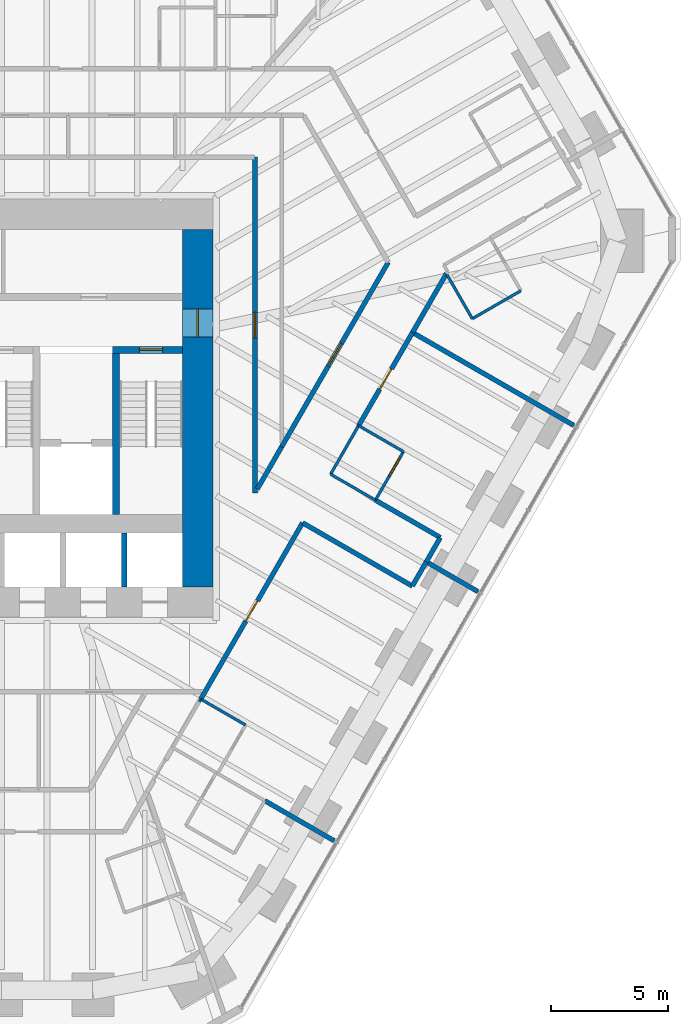
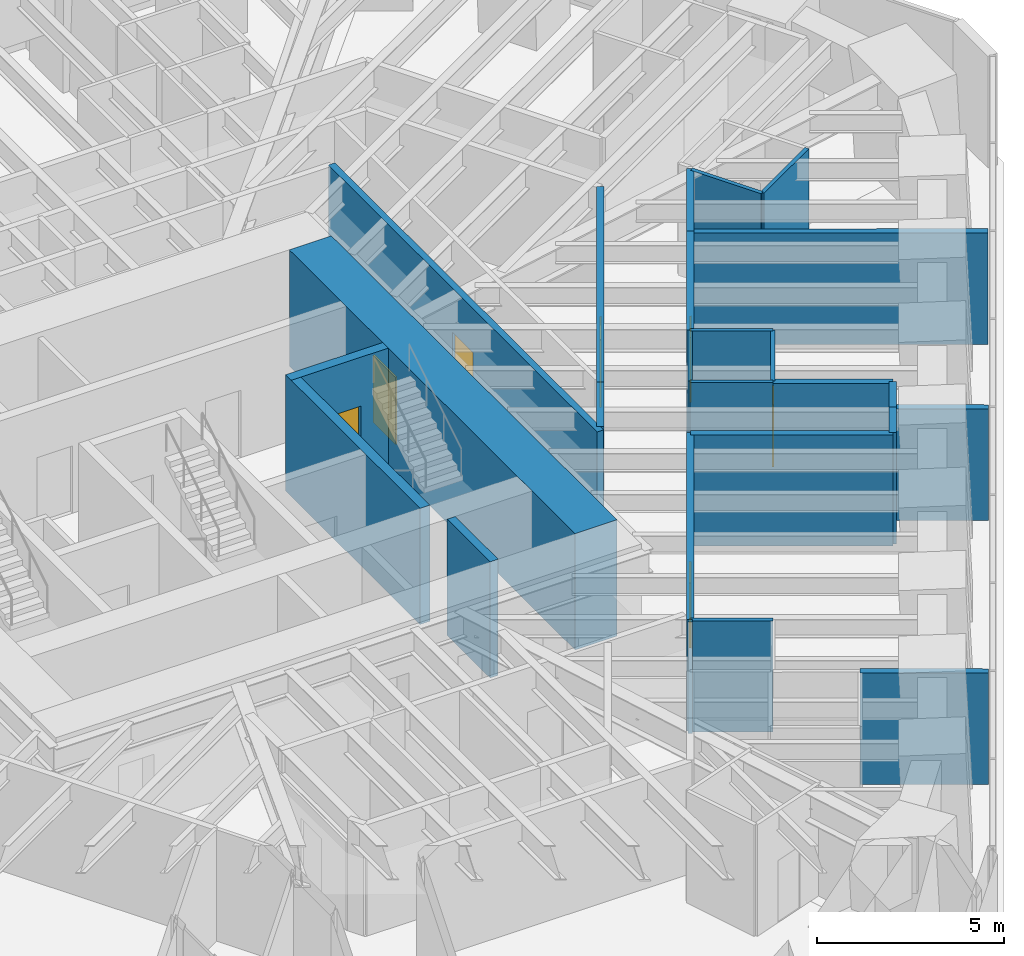
# One storey, part 13 of 18: 25 walls, 7 doors, 7 openings.
"""IFC4 building model written with IfcOpenShell, lengths in metres."""

import ifcopenshell
import ifcopenshell.guid

model = None  # the IFC model being written
_history = None  # IfcOwnerHistory: only IFC2X3 demands one
_inside = {}  # id of a spatial element -> (the spatial element, [elements in it])
_under = {}  # id of a project, library or spatial element -> (it, [spatial elements below it])
_declared = {}  # id of a project -> (the project, [libraries it declares])
_typed = {}  # id of a type object -> (the type object, [elements of that type])
_made_of = {}  # id of a material, layer set ... -> (it, [elements and type objects made of it])


def new_model(schema):
    """Start an empty IFC model of exactly this schema.

    Asked for "IFC4X3", IfcOpenShell would pick the latest addendum, in which some entities
    have other attributes; the version numbers below select the first issue.
    IFC2X3 requires an IfcOwnerHistory on every rooted entity: one is made here for all.
    """
    global model, _history
    if schema == "IFC4X3":
        model = ifcopenshell.file(schema_version=(4, 3, 0, 0))
    else:
        model = ifcopenshell.file(schema=schema)
    _inside.clear()
    _under.clear()
    _declared.clear()
    _typed.clear()
    _made_of.clear()
    _history = None
    if model.schema == "IFC2X3":
        org = make("IfcOrganization", Name="unknown")
        user = make(
            "IfcPersonAndOrganization",
            ThePerson=make("IfcPerson", FamilyName="unknown"),
            TheOrganization=org,
        )
        app = make(
            "IfcApplication",
            ApplicationDeveloper=org,
            Version="unknown",
            ApplicationFullName="unknown",
            ApplicationIdentifier="unknown",
        )
        _history = make(
            "IfcOwnerHistory",
            OwningUser=user,
            OwningApplication=app,
            ChangeAction="ADDED",
            CreationDate=0,
        )
    return model


def make(cls, **values):
    """One entity of the class cls with the attributes given. An attribute that is None is left unset."""
    return model.create_entity(
        cls, **{name: value for name, value in values.items() if value is not None}
    )


def rooted(cls, **values):
    """An entity with a GlobalId (a new one), such as an element, a storey or a relation."""
    return make(cls, GlobalId=ifcopenshell.guid.new(), OwnerHistory=_history, **values)


def si_unit(unit_type, name, prefix=None):
    """IfcSIUnit, for example si_unit("LENGTHUNIT", "METRE", prefix="MILLI")."""
    return make("IfcSIUnit", UnitType=unit_type, Prefix=prefix, Name=name)


def assignment(units):
    """IfcUnitAssignment: the units of a project."""
    return None if units is None else make("IfcUnitAssignment", Units=units)


def point(xyz):
    """IfcCartesianPoint."""
    return None if xyz is None else make("IfcCartesianPoint", Coordinates=xyz)


def direction(xyz):
    """IfcDirection."""
    return None if xyz is None else make("IfcDirection", DirectionRatios=xyz)


def frame(location, z_axis=None, x_axis=None):
    """IfcAxis2Placement3D, a coordinate frame: its origin and axes. An axis left out is left unset."""
    return make(
        "IfcAxis2Placement3D",
        Location=point(location),
        Axis=direction(z_axis),
        RefDirection=direction(x_axis),
    )


def frame_2d(location, x_axis=None):
    """IfcAxis2Placement2D, a coordinate frame in the plane: its origin and x axis."""
    return make(
        "IfcAxis2Placement2D", Location=point(location), RefDirection=direction(x_axis)
    )


def origin():
    """The frame at (0, 0, 0) with its axes left unset."""
    return frame((0.0, 0.0, 0.0))


def place(relative_to, where):
    """IfcLocalPlacement: puts the frame where relative to a parent placement (None: the world)."""
    return make(
        "IfcLocalPlacement", PlacementRelTo=relative_to, RelativePlacement=where
    )


def context(
    kind, dimensions, precision=None, world=None, true_north=None, identifier=None
):
    """IfcGeometricRepresentationContext, for example the 3D "Model" context."""
    return make(
        "IfcGeometricRepresentationContext",
        ContextIdentifier=identifier,
        ContextType=kind,
        CoordinateSpaceDimension=dimensions,
        Precision=precision,
        WorldCoordinateSystem=world,
        TrueNorth=true_north,
    )


def subcontext(parent, identifier, kind, view, scale=None):
    """IfcGeometricRepresentationSubContext, for example "Body" below "Model"."""
    return make(
        "IfcGeometricRepresentationSubContext",
        ContextIdentifier=identifier,
        ContextType=kind,
        ParentContext=parent,
        TargetScale=scale,
        TargetView=view,
    )


def project(units=None, contexts=None):
    """IfcProject with its units and contexts."""
    return rooted(
        "IfcProject",
        Name="project",
        RepresentationContexts=contexts,
        UnitsInContext=assignment(units),
    )


def spatial(cls, under=None, at=None, **own):
    """A site, building, storey or space (cls), placed at a placement, below another one or the project."""
    s = rooted(cls, ObjectPlacement=at, **own)
    if under is not None:
        _under.setdefault(under.id(), (under, []))[1].append(s)
    return s


def profile(cls, at=None, kind="AREA", **sizes):
    """A parametric profile (cls). Its sizes go by their IFC names, for example OverallWidth=200.0."""
    return make(cls, ProfileType=kind, Position=at, **sizes)


def rectangle(**sizes):
    """IfcRectangleProfileDef."""
    return profile("IfcRectangleProfileDef", **sizes)


def extrude(swept, where, along, depth):
    """IfcExtrudedAreaSolid: the profile swept, set in the frame where, extruded along a direction by depth."""
    return make(
        "IfcExtrudedAreaSolid",
        SweptArea=swept,
        Position=where,
        ExtrudedDirection=direction(along),
        Depth=depth,
    )


def shape(context_of_items, identifier, shape_type, items):
    """IfcShapeRepresentation: the items that make up one representation, for example the "Body"."""
    return make(
        "IfcShapeRepresentation",
        ContextOfItems=context_of_items,
        RepresentationIdentifier=identifier,
        RepresentationType=shape_type,
        Items=items,
    )


def material(Name=None, Category=None):
    """IfcMaterial."""
    return make("IfcMaterial", Name=Name, Category=Category)


def layer(
    of_material, thickness, ventilated=None, Name=None, Category=None, Priority=None
):
    """IfcMaterialLayer: one layer of a wall or slab, of a material (None: an air gap)."""
    return make(
        "IfcMaterialLayer",
        Material=of_material,
        LayerThickness=thickness,
        IsVentilated=ventilated,
        Name=Name,
        Category=Category,
        Priority=Priority,
    )


def layer_set(layers, Name=None):
    """IfcMaterialLayerSet."""
    return make("IfcMaterialLayerSet", MaterialLayers=layers, LayerSetName=Name)


def made_of(thing, what):
    """Note that an element or type object is made of a material, layer set ...; save() writes the relation."""
    if what is not None:
        _made_of.setdefault(what.id(), (what, []))[1].append(thing)
    return thing


def type_object(cls, material=None, **own):
    """A type object (cls), such as IfcWallType, which elements share."""
    return made_of(rooted(cls, **own), material)


def element(
    cls,
    number,
    at=None,
    inside=None,
    cuts=None,
    type_object=None,
    material=None,
    context=None,
    identifier="Body",
    shape_type=None,
    held_by="IfcProductDefinitionShape",
    body=None,
    shapes=None,
    **own,
):
    """One element of the class cls, such as IfcWall. Its Tag is "e" and its number.

    at: its placement. inside: the storey or other place that contains it. cuts: it is an
    opening in that element (IfcRelVoidsElement). A single representation is given by context,
    identifier, shape_type and body (its items); several are given by shapes. held_by: the class
    of the entity that holds the representations. save() writes the other relations.
    """
    e = rooted(cls, Tag="e%d" % number, ObjectPlacement=at, **own)
    if body is not None:
        shapes = [shape(context, identifier, shape_type, body)]
    if shapes is not None:
        e.Representation = make(held_by, Representations=shapes)
    if inside is not None:
        _inside.setdefault(inside.id(), (inside, []))[1].append(e)
    if cuts is not None:
        rooted(
            "IfcRelVoidsElement", RelatingBuildingElement=cuts, RelatedOpeningElement=e
        )
    if type_object is not None:
        _typed.setdefault(type_object.id(), (type_object, []))[1].append(e)
    return made_of(e, material)


def fill(opening, filler):
    """IfcRelFillsElement: the door or window that sits in an opening."""
    return rooted(
        "IfcRelFillsElement",
        RelatingOpeningElement=opening,
        RelatedBuildingElement=filler,
    )


def aggregate(whole, parts):
    """IfcRelAggregates: a whole, such as a stair, and the parts it consists of."""
    return rooted("IfcRelAggregates", RelatingObject=whole, RelatedObjects=parts)


def save(model, path):
    """Write the relations noted so far, then the file.

    IfcRelAggregates (storeys below a building ...), IfcRelContainedInSpatialStructure (elements
    in a storey), IfcRelDefinesByType, IfcRelAssociatesMaterial and IfcRelDeclares: one each for
    every whole, place, type object, material and project.
    """
    for whole, parts in _under.values():
        aggregate(whole, parts)
    for where, things in _inside.values():
        rooted(
            "IfcRelContainedInSpatialStructure",
            RelatedElements=things,
            RelatingStructure=where,
        )
    for kind, things in _typed.values():
        rooted("IfcRelDefinesByType", RelatedObjects=things, RelatingType=kind)
    for what, things in _made_of.values():
        rooted("IfcRelAssociatesMaterial", RelatedObjects=things, RelatingMaterial=what)
    for by, libraries in _declared.values():
        rooted("IfcRelDeclares", RelatingContext=by, RelatedDefinitions=libraries)
    model.write(path)


model = new_model("IFC4")

# Units and contexts
model_context = context("Model", 3, precision=1e-05, world=origin(), true_north=direction((0.0, 1.0)))
body_context = subcontext(model_context, "Body", "Model", "MODEL_VIEW")
ifc_project = project(units=[si_unit("LENGTHUNIT", "METRE"), si_unit("AREAUNIT", "SQUARE_METRE"), si_unit("VOLUMEUNIT", "CUBIC_METRE"), si_unit("PLANEANGLEUNIT", "RADIAN"), si_unit("MASSUNIT", "GRAM", prefix="KILO")], contexts=[model_context])

# Site, building, storey
site_placement = place(None, origin())
site = spatial("IfcSite", under=ifc_project, at=site_placement, CompositionType="ELEMENT")
building_placement = place(site_placement, origin())
building = spatial("IfcBuilding", under=site, at=building_placement, Name="Sandreach Pilgrim Tower", CompositionType="ELEMENT")
storey_placement = place(building_placement, frame((0.0, 0.0, 153.800048828125)))
storey = spatial("IfcBuildingStorey", under=building, at=storey_placement, Name="L38", CompositionType="ELEMENT", Elevation=153.800048828125)

# Walls
ifc_material_1 = material(Name="Moisture-resistant gypsum board on steel studs", Category="steel")
ifc_layer_1 = layer(ifc_material_1, 0.1201171875)
ifc_layer_set_1 = layer_set([ifc_layer_1], Name="Bathroom partition 120")
wall_type_1 = type_object("IfcWallType", Name="Bathroom partition 120", PredefinedType="PARTITIONING", material=ifc_layer_set_1)
wall_1_placement = place(storey_placement, frame((8.469970703125, -14.1201171875, 0.0), z_axis=(0.0, 0.0, 1.0), x_axis=(0.478852130681, 0.877895572914, 0.0)))
element("IfcWall", 1, at=wall_1_placement, inside=storey, type_object=wall_type_1, Name="Bathroom partition L38-105", PredefinedType="PARTITIONING", context=body_context, shape_type="SweptSolid", body=[
    extrude(rectangle(XDim=0.12548828125, YDim=0.1201171875, at=frame_2d((0.062744140625, 0.0))), origin(), (0.0, 0.0, 1.0), 3.639892578125),
])
wall_2_placement = place(storey_placement, frame((10.449951171875, -15.1201171875, 0.0), z_axis=(0.0, 0.0, 1.0), x_axis=(-0.865705017107, 0.500554515868, 0.0)))
element("IfcWall", 2, at=wall_2_placement, inside=storey, type_object=wall_type_1, Name="Bathroom partition L38-119", PredefinedType="PARTITIONING", context=body_context, shape_type="SweptSolid", body=[
    extrude(rectangle(XDim=2.2177734375, YDim=0.1201171875, at=frame_2d((1.10888671875, 0.0))), origin(), (0.0, 0.0, 1.0), 3.639892578125),
])
wall_3_placement = place(storey_placement, frame((14.090087890625, -4.3798828125, 0.0), z_axis=(0.0, 0.0, 1.0), x_axis=(0.499737123639, 0.866177122335, 0.0)))
element("IfcWall", 3, at=wall_3_placement, inside=storey, type_object=wall_type_1, Name="Bathroom partition L38-132", PredefinedType="PARTITIONING", context=body_context, shape_type="SweptSolid", body=[
    extrude(rectangle(XDim=2.401123046875, YDim=0.1201171875, at=frame_2d((1.20068359375, 0.0))), origin(), (0.0, 0.0, 1.0), 3.639892578125),
])
wall_4_placement = place(storey_placement, frame((14.090087890625, -4.3798828125, 0.0), z_axis=(0.0, 0.0, 1.0), x_axis=(0.865705017107, -0.500554515868, 0.0)))
element("IfcWall", 4, at=wall_4_placement, inside=storey, type_object=wall_type_1, Name="Bathroom partition L38-133", PredefinedType="PARTITIONING", context=body_context, shape_type="SweptSolid", body=[
    extrude(rectangle(XDim=2.2177734375, YDim=0.1201171875, at=frame_2d((1.10888671875, 0.0))), origin(), (0.0, 0.0, 1.0), 3.639892578125),
])

# Wall, opening, door
wall_5_placement = place(storey_placement, frame((16.010009765625, -5.489990234375, 0.0), z_axis=(0.0, 0.0, 1.0), x_axis=(0.499693115345, 0.866202511239, 0.0)))
wall_5 = element("IfcWall", 5, at=wall_5_placement, inside=storey, type_object=wall_type_1, Name="Bathroom partition L38-135", PredefinedType="PARTITIONING", context=body_context, shape_type="SweptSolid", body=[
    extrude(rectangle(XDim=2.4013671875, YDim=0.1201171875, at=frame_2d((1.20068359375, 0.0))), origin(), (0.0, 0.0, 1.0), 3.639892578125),
])
opening_1_placement = place(wall_5_placement, frame((1.201416015625, 0.0, 0.0)))
opening_1 = element("IfcOpeningElement", 6, at=opening_1_placement, cuts=wall_5, Name="Opening D09-07B", PredefinedType="OPENING", context=body_context, shape_type="SweptSolid", body=[
    extrude(rectangle(XDim=0.89990234375, YDim=2.030029296875, at=frame_2d((0.449951171875, 1.01513671875))), frame((0.0, 0.06005859375, 0.0), z_axis=(0.0, -1.0, 0.0), x_axis=(1.0, 0.0, 0.0)), (0.0, 0.0, 1.0), 0.1201171875),
])
ifc_material_2 = material(Name="Timber door, steel frame", Category="steel")
door_type_1 = type_object("IfcDoorType", Name="Bathroom door", OperationType="SINGLE_SWING_LEFT", PredefinedType="DOOR", material=ifc_material_2)
door_1_placement = place(opening_1_placement, origin())
door_1 = element("IfcDoor", 7, at=door_1_placement, inside=storey, type_object=door_type_1, Name="Door 3807B", OperationType="SINGLE_SWING_RIGHT", OverallHeight=2.030029296875, OverallWidth=0.89990234375, PredefinedType="DOOR", context=body_context, shape_type="SweptSolid", body=[
    extrude(rectangle(XDim=0.89990234375, YDim=2.030029296875, at=frame_2d((0.449951171875, 1.01513671875))), frame((0.0, 0.02490234375, 0.0), z_axis=(0.0, -1.0, 0.0), x_axis=(1.0, 0.0, 0.0)), (0.0, 0.0, 1.0), 0.050048828125),
])
fill(opening_1, door_1)

# Walls
wall_6_placement = place(storey_placement, frame((17.2099609375, -3.409912109375, 0.0), z_axis=(0.0, 0.0, 1.0), x_axis=(-0.86575271903, 0.500472006703, 0.0)))
element("IfcWall", 8, at=wall_6_placement, inside=storey, type_object=wall_type_1, Name="Bathroom partition L38-138", PredefinedType="PARTITIONING", context=body_context, shape_type="SweptSolid", body=[
    extrude(rectangle(XDim=2.217529296875, YDim=0.1201171875, at=frame_2d((1.10888671875, 0.0))), origin(), (0.0, 0.0, 1.0), 3.639892578125),
])
wall_7_placement = place(storey_placement, frame((19.074951171875, 4.166748046875, 0.0), z_axis=(0.0, 0.0, 1.0), x_axis=(0.498504844819, -0.866886912862, 0.0)))
element("IfcWall", 9, at=wall_7_placement, inside=storey, type_object=wall_type_1, Name="Bathroom partition L38-146", PredefinedType="PARTITIONING", context=body_context, shape_type="SweptSolid", body=[
    extrude(rectangle(XDim=2.176513671875, YDim=0.1201171875, at=frame_2d((1.08837890625, 0.0))), origin(), (0.0, 0.0, 1.0), 3.639892578125),
])
wall_8_placement = place(storey_placement, frame((20.159912109375, 2.280029296875, 0.0), z_axis=(0.0, 0.0, 1.0), x_axis=(0.866202511239, 0.499693115345, 0.0)))
element("IfcWall", 10, at=wall_8_placement, inside=storey, type_object=wall_type_1, Name="Bathroom partition L38-150", PredefinedType="PARTITIONING", context=body_context, shape_type="SweptSolid", body=[
    extrude(rectangle(XDim=2.4013671875, YDim=0.1201171875, at=frame_2d((1.20068359375, 0.0))), origin(), (0.0, 0.0, 1.0), 3.639892578125),
])
ifc_material_3 = material(Name="Concrete 10000 psi", Category="concrete")
ifc_layer_2 = layer(ifc_material_3, 0.300048828125)
ifc_layer_set_2 = layer_set([ifc_layer_2], Name="Core inner wall 300")
wall_type_2 = type_object("IfcWallType", Name="Core inner wall 300", PredefinedType="SHEAR", material=ifc_layer_set_2)
wall_9_placement = place(storey_placement, frame((4.89990234375, -6.10009765625, 0.0), z_axis=(0.0, 0.0, 1.0), x_axis=(0.0, 1.0, 0.0)))
element("IfcWall", 11, at=wall_9_placement, inside=storey, type_object=wall_type_2, Name="Core wall I3 L38", PredefinedType="SHEAR", context=body_context, shape_type="SweptSolid", body=[
    extrude(rectangle(XDim=7.2001953125, YDim=0.300048828125, at=frame_2d((3.60009765625, 0.0))), origin(), (0.0, 0.0, 1.0), 3.800048828125),
])

# Wall, opening, door
wall_10_placement = place(storey_placement, frame((4.75, 0.949951171875, 0.0), z_axis=(0.0, 0.0, 1.0), x_axis=(1.0, 0.0, 0.0)))
wall_10 = element("IfcWall", 12, at=wall_10_placement, inside=storey, type_object=wall_type_2, Name="Core wall SN2 L38", PredefinedType="SHEAR", context=body_context, shape_type="SweptSolid", body=[
    extrude(rectangle(XDim=3.0, YDim=0.300048828125, at=frame_2d((1.5, 0.0))), origin(), (0.0, 0.0, 1.0), 3.800048828125),
])
opening_2_placement = place(wall_10_placement, frame((1.14990234375, 0.0, 0.0)))
opening_2 = element("IfcOpeningElement", 13, at=opening_2_placement, cuts=wall_10, Name="Opening D10S-ST2", PredefinedType="OPENING", context=body_context, shape_type="SweptSolid", body=[
    extrude(rectangle(XDim=1.0, YDim=2.199951171875, at=frame_2d((0.5, 1.10009765625))), frame((0.0, 0.14990234375, 0.0), z_axis=(0.0, -1.0, 0.0), x_axis=(1.0, 0.0, 0.0)), (0.0, 0.0, 1.0), 0.300048828125),
])
ifc_material_4 = material(Name="Steel door and frame", Category="steel")
door_type_2 = type_object("IfcDoorType", Name="Stair door", OperationType="SINGLE_SWING_LEFT", PredefinedType="DOOR", material=ifc_material_4)
door_2_placement = place(opening_2_placement, origin())
door_2 = element("IfcDoor", 14, at=door_2_placement, inside=storey, type_object=door_type_2, Name="Stair door ST2 L38", OperationType="SINGLE_SWING_RIGHT", OverallHeight=2.199951171875, OverallWidth=1.0, PredefinedType="DOOR", context=body_context, shape_type="SweptSolid", body=[
    extrude(rectangle(XDim=1.0, YDim=2.199951171875, at=frame_2d((0.5, 1.10009765625))), frame((0.0, 0.02490234375, 0.0), z_axis=(0.0, -1.0, 0.0), x_axis=(1.0, 0.0, 0.0)), (0.0, 0.0, 1.0), 0.050048828125),
])
fill(opening_2, door_2)

ifc_material_5 = material(Name="Concrete 10000 psi", Category="concrete")
ifc_layer_3 = layer(ifc_material_5, 1.300048828125)
ifc_layer_set_3 = layer_set([ifc_layer_3], Name="Core wall 1300")
wall_type_3 = type_object("IfcWallType", Name="Core wall 1300", PredefinedType="SHEAR", material=ifc_layer_set_3)
wall_11_placement = place(storey_placement, frame((8.39990234375, -9.199951171875, 0.0), z_axis=(0.0, 0.0, 1.0), x_axis=(0.0, 1.0, 0.0)))
wall_11 = element("IfcWall", 15, at=wall_11_placement, inside=storey, type_object=wall_type_3, Name="Core wall E L38", PredefinedType="SHEAR", context=body_context, shape_type="SweptSolid", body=[
    extrude(rectangle(XDim=15.300048828125, YDim=1.300048828125, at=frame_2d((7.64990234375, 0.0))), origin(), (0.0, 0.0, 1.0), 3.800048828125),
])
opening_3_placement = place(wall_11_placement, frame((10.699951171875, 0.0, 0.0)))
opening_3 = element("IfcOpeningElement", 16, at=opening_3_placement, cuts=wall_11, Name="Opening D12F-E", PredefinedType="OPENING", context=body_context, shape_type="SweptSolid", body=[
    extrude(rectangle(XDim=1.199951171875, YDim=2.199951171875, at=frame_2d((0.60009765625, 1.10009765625))), frame((0.0, 0.64990234375, 0.0), z_axis=(0.0, -1.0, 0.0), x_axis=(1.0, 0.0, 0.0)), (0.0, 0.0, 1.0), 1.300048828125),
])
ifc_material_6 = material(Name="Steel door and frame", Category="steel")
door_type_3 = type_object("IfcDoorType", Name="Fire lobby door", OperationType="SINGLE_SWING_LEFT", PredefinedType="DOOR", material=ifc_material_6)
door_3_placement = place(opening_3_placement, origin())
door_3 = element("IfcDoor", 17, at=door_3_placement, inside=storey, type_object=door_type_3, Name="Fire service lobby door E L38", OperationType="SINGLE_SWING_RIGHT", OverallHeight=2.199951171875, OverallWidth=1.199951171875, PredefinedType="DOOR", context=body_context, shape_type="SweptSolid", body=[
    extrude(rectangle(XDim=1.199951171875, YDim=2.199951171875, at=frame_2d((0.60009765625, 1.10009765625))), frame((0.0, 0.02490234375, 0.0), z_axis=(0.0, -1.0, 0.0), x_axis=(1.0, 0.0, 0.0)), (0.0, 0.0, 1.0), 0.050048828125),
])
fill(opening_3, door_3)

ifc_material_7 = material(Name="Gypsum board on steel studs, two layers each side", Category="steel")
ifc_layer_4 = layer(ifc_material_7, 0.199951171875)
ifc_layer_set_4 = layer_set([ifc_layer_4], Name="Corridor wall 200")
wall_type_4 = type_object("IfcWallType", Name="Corridor wall 200", PredefinedType="PARTITIONING", material=ifc_layer_set_4)
wall_12_placement = place(storey_placement, frame((8.530029296875, -14.010009765625, 0.0), z_axis=(0.0, 0.0, 1.0), x_axis=(0.500072306674, 0.865983653482, 0.0)))
wall_12 = element("IfcWall", 18, at=wall_12_placement, inside=storey, type_object=wall_type_4, Name="Corridor wall L38-106", PredefinedType="PARTITIONING", context=body_context, shape_type="SweptSolid", body=[
    extrude(rectangle(XDim=8.718505859375, YDim=0.199951171875, at=frame_2d((4.359375, 0.0))), origin(), (0.0, 0.0, 1.0), 3.639892578125),
])
opening_4_placement = place(wall_12_placement, frame((3.859375, 0.0, 0.0)))
opening_4 = element("IfcOpeningElement", 19, at=opening_4_placement, cuts=wall_12, Name="Opening D10-08", PredefinedType="OPENING", context=body_context, shape_type="SweptSolid", body=[
    extrude(rectangle(XDim=1.0, YDim=2.1298828125, at=frame_2d((0.5, 1.06494140625))), frame((0.0, 0.10009765625, 0.0), z_axis=(0.0, -1.0, 0.0), x_axis=(1.0, 0.0, 0.0)), (0.0, 0.0, 1.0), 0.199951171875),
])
ifc_material_8 = material(Name="Steel door and frame", Category="steel")
door_type_4 = type_object("IfcDoorType", Name="Guest room entry door", OperationType="SINGLE_SWING_LEFT", PredefinedType="DOOR", material=ifc_material_8)
door_4_placement = place(opening_4_placement, origin())
door_4 = element("IfcDoor", 20, at=door_4_placement, inside=storey, type_object=door_type_4, Name="Door 3808", OperationType="SINGLE_SWING_LEFT", OverallHeight=2.1298828125, OverallWidth=1.0, PredefinedType="DOOR", context=body_context, shape_type="SweptSolid", body=[
    extrude(rectangle(XDim=1.0, YDim=2.1298828125, at=frame_2d((0.5, 1.06494140625))), frame((0.0, 0.02490234375, 0.0), z_axis=(0.0, -1.0, 0.0), x_axis=(1.0, 0.0, 0.0)), (0.0, 0.0, 1.0), 0.050048828125),
])
fill(opening_4, door_4)

wall_13_placement = place(storey_placement, frame((10.85009765625, -5.18994140625, 0.0), z_axis=(0.0, 0.0, 1.0), x_axis=(0.0, 1.0, 0.0)))
wall_13 = element("IfcWall", 21, at=wall_13_placement, inside=storey, type_object=wall_type_4, Name="Corridor wall L38-121", PredefinedType="PARTITIONING", context=body_context, shape_type="SweptSolid", body=[
    extrude(rectangle(XDim=14.389892578125, YDim=0.199951171875, at=frame_2d((7.19482421875, 0.0))), origin(), (0.0, 0.0, 1.0), 3.639892578125),
])
opening_5_placement = place(wall_13_placement, frame((6.64501953125, 0.0, 0.0)))
opening_5 = element("IfcOpeningElement", 22, at=opening_5_placement, cuts=wall_13, Name="Opening D11H-M06", PredefinedType="OPENING", context=body_context, shape_type="SweptSolid", body=[
    extrude(rectangle(XDim=1.10009765625, YDim=2.199951171875, at=frame_2d((0.550048828125, 1.10009765625))), frame((0.0, 0.10009765625, 0.0), z_axis=(0.0, -1.0, 0.0), x_axis=(1.0, 0.0, 0.0)), (0.0, 0.0, 1.0), 0.199951171875),
])
ifc_material_9 = material(Name="Steel door and frame", Category="steel")
door_type_5 = type_object("IfcDoorType", Name="Back of house door", OperationType="SINGLE_SWING_LEFT", PredefinedType="DOOR", material=ifc_material_9)
door_5_placement = place(opening_5_placement, origin())
door_5 = element("IfcDoor", 23, at=door_5_placement, inside=storey, type_object=door_type_5, Name="Door 38M06", OperationType="SINGLE_SWING_LEFT", OverallHeight=2.199951171875, OverallWidth=1.10009765625, PredefinedType="DOOR", context=body_context, shape_type="SweptSolid", body=[
    extrude(rectangle(XDim=1.10009765625, YDim=2.199951171875, at=frame_2d((0.550048828125, 1.10009765625))), frame((0.0, 0.02490234375, 0.0), z_axis=(0.0, -1.0, 0.0), x_axis=(1.0, 0.0, 0.0)), (0.0, 0.0, 1.0), 0.050048828125),
])
fill(opening_5, door_5)

# Walls
wall_14_placement = place(storey_placement, frame((11.989990234375, -3.2099609375, 0.0), z_axis=(0.0, 0.0, 1.0), x_axis=(-0.498943070116, -0.866634763198, 0.0)))
element("IfcWall", 24, at=wall_14_placement, inside=storey, type_object=wall_type_4, Name="Corridor wall L38-126", PredefinedType="PARTITIONING", context=body_context, shape_type="SweptSolid", body=[
    extrude(rectangle(XDim=2.07958984375, YDim=0.199951171875, at=frame_2d((1.039794921875, 0.0))), origin(), (0.0, 0.0, 1.0), 3.639892578125),
])
wall_15_placement = place(storey_placement, frame((12.898681640625, -6.465087890625, 0.0), z_axis=(0.0, 0.0, 1.0), x_axis=(0.866325156083, -0.499480454009, 0.0)))
element("IfcWall", 25, at=wall_15_placement, inside=storey, type_object=wall_type_4, Name="Corridor wall L38-129", PredefinedType="PARTITIONING", context=body_context, shape_type="SweptSolid", body=[
    extrude(rectangle(XDim=5.415283203125, YDim=0.199951171875, at=frame_2d((2.70751953125, 0.0))), origin(), (0.0, 0.0, 1.0), 3.639892578125),
])

# Wall, opening, door
wall_16_placement = place(storey_placement, frame((15.2900390625, -2.300048828125, 0.0), z_axis=(0.0, 0.0, 1.0), x_axis=(0.501046707413, 0.865420242998, 0.0)))
wall_16 = element("IfcWall", 26, at=wall_16_placement, inside=storey, type_object=wall_type_4, Name="Corridor wall L38-134", PredefinedType="PARTITIONING", context=body_context, shape_type="SweptSolid", body=[
    extrude(rectangle(XDim=4.6103515625, YDim=0.199951171875, at=frame_2d((2.30517578125, 0.0))), origin(), (0.0, 0.0, 1.0), 3.639892578125),
])
opening_6_placement = place(wall_16_placement, frame((1.80517578125, 0.0, 0.0)))
opening_6 = element("IfcOpeningElement", 27, at=opening_6_placement, cuts=wall_16, Name="Opening D10-07", PredefinedType="OPENING", context=body_context, shape_type="SweptSolid", body=[
    extrude(rectangle(XDim=1.0, YDim=2.1298828125, at=frame_2d((0.5, 1.06494140625))), frame((0.0, 0.10009765625, 0.0), z_axis=(0.0, -1.0, 0.0), x_axis=(1.0, 0.0, 0.0)), (0.0, 0.0, 1.0), 0.199951171875),
])
door_6_placement = place(opening_6_placement, origin())
door_6 = element("IfcDoor", 28, at=door_6_placement, inside=storey, type_object=door_type_4, Name="Door 3807", OperationType="SINGLE_SWING_LEFT", OverallHeight=2.1298828125, OverallWidth=1.0, PredefinedType="DOOR", context=body_context, shape_type="SweptSolid", body=[
    extrude(rectangle(XDim=1.0, YDim=2.1298828125, at=frame_2d((0.5, 1.06494140625))), frame((0.0, 0.02490234375, 0.0), z_axis=(0.0, -1.0, 0.0), x_axis=(1.0, 0.0, 0.0)), (0.0, 0.0, 1.0), 0.050048828125),
])
fill(opening_6, door_6)

# Wall
wall_17_placement = place(storey_placement, frame((16.010009765625, -5.489990234375, 0.0), z_axis=(0.0, 0.0, 1.0), x_axis=(0.866693259036, -0.498841452509, 0.0)))
element("IfcWall", 29, at=wall_17_placement, inside=storey, type_object=wall_type_4, Name="Corridor wall L38-136", PredefinedType="PARTITIONING", context=body_context, shape_type="SweptSolid", body=[
    extrude(rectangle(XDim=3.20751953125, YDim=0.199951171875, at=frame_2d((1.603759765625, 0.0))), origin(), (0.0, 0.0, 1.0), 3.639892578125),
])

# Wall, opening, door
wall_18_placement = place(storey_placement, frame((16.56005859375, 4.699951171875, 0.0), z_axis=(0.0, 0.0, 1.0), x_axis=(-0.500269138002, -0.865869961116, 0.0)))
wall_18 = element("IfcWall", 30, at=wall_18_placement, inside=storey, type_object=wall_type_4, Name="Corridor wall L38-137", PredefinedType="PARTITIONING", context=body_context, shape_type="SweptSolid", body=[
    extrude(rectangle(XDim=9.13525390625, YDim=0.199951171875, at=frame_2d((4.567626953125, 0.0))), origin(), (0.0, 0.0, 1.0), 3.639892578125),
])
opening_7_placement = place(wall_18_placement, frame((4.017578125, 0.0, 0.0)))
opening_7 = element("IfcOpeningElement", 31, at=opening_7_placement, cuts=wall_18, Name="Opening D11H-M07", PredefinedType="OPENING", context=body_context, shape_type="SweptSolid", body=[
    extrude(rectangle(XDim=1.10009765625, YDim=2.199951171875, at=frame_2d((0.550048828125, 1.10009765625))), frame((0.0, 0.10009765625, 0.0), z_axis=(0.0, -1.0, 0.0), x_axis=(1.0, 0.0, 0.0)), (0.0, 0.0, 1.0), 0.199951171875),
])
door_7_placement = place(opening_7_placement, origin())
door_7 = element("IfcDoor", 32, at=door_7_placement, inside=storey, type_object=door_type_5, Name="Door 38M07", OperationType="SINGLE_SWING_LEFT", OverallHeight=2.199951171875, OverallWidth=1.10009765625, PredefinedType="DOOR", context=body_context, shape_type="SweptSolid", body=[
    extrude(rectangle(XDim=1.10009765625, YDim=2.199951171875, at=frame_2d((0.550048828125, 1.10009765625))), frame((0.0, 0.02490234375, 0.0), z_axis=(0.0, -1.0, 0.0), x_axis=(1.0, 0.0, 0.0)), (0.0, 0.0, 1.0), 0.050048828125),
])
fill(opening_7, door_7)

# Walls
wall_19_placement = place(storey_placement, frame((17.594970703125, -9.161376953125, 0.0), z_axis=(0.0, 0.0, 1.0), x_axis=(0.49964553876, 0.86622995538, 0.0)))
element("IfcWall", 33, at=wall_19_placement, inside=storey, type_object=wall_type_4, Name="Corridor wall L38-139", PredefinedType="PARTITIONING", context=body_context, shape_type="SweptSolid", body=[
    extrude(rectangle(XDim=1.190673828125, YDim=0.199951171875, at=frame_2d((0.59521484375, 0.0))), origin(), (0.0, 0.0, 1.0), 3.639892578125),
])
wall_20_placement = place(storey_placement, frame((17.60009765625, 1.68994140625, 0.0), z_axis=(0.0, 0.0, 1.0), x_axis=(0.498714069474, 0.866766564254, 0.0)))
element("IfcWall", 34, at=wall_20_placement, inside=storey, type_object=wall_type_4, Name="Corridor wall L38-140", PredefinedType="PARTITIONING", context=body_context, shape_type="SweptSolid", body=[
    extrude(rectangle(XDim=2.907470703125, YDim=0.199951171875, at=frame_2d((1.45361328125, 0.0))), origin(), (0.0, 0.0, 1.0), 3.639892578125),
])
wall_21_placement = place(storey_placement, frame((18.18994140625, -8.1298828125, 0.0), z_axis=(0.0, 0.0, 1.0), x_axis=(0.499793761865, 0.866144442689, 0.0)))
element("IfcWall", 35, at=wall_21_placement, inside=storey, type_object=wall_type_4, Name="Corridor wall L38-143", PredefinedType="PARTITIONING", context=body_context, shape_type="SweptSolid", body=[
    extrude(rectangle(XDim=1.185546875, YDim=0.199951171875, at=frame_2d((0.5927734375, 0.0))), origin(), (0.0, 0.0, 1.0), 3.639892578125),
])
ifc_material_10 = material(Name="Double steel stud acoustic wall, gypsum board", Category="steel")
ifc_layer_5 = layer(ifc_material_10, 0.199951171875)
ifc_layer_set_5 = layer_set([ifc_layer_5], Name="Party wall 200")
wall_type_5 = type_object("IfcWallType", Name="Party wall 200", PredefinedType="PARTITIONING", material=ifc_layer_set_5)
wall_22_placement = place(storey_placement, frame((11.27001953125, -18.360107421875, 0.0), z_axis=(0.0, 0.0, 1.0), x_axis=(0.865806952829, -0.500378177414, 0.0)))
element("IfcWall", 36, at=wall_22_placement, inside=storey, type_object=wall_type_5, Name="Party wall L38-123", PredefinedType="PARTITIONING", context=body_context, shape_type="SweptSolid", body=[
    extrude(rectangle(XDim=3.437255859375, YDim=0.199951171875, at=frame_2d((1.71875, 0.0))), origin(), (0.0, 0.0, 1.0), 3.639892578125),
])
wall_23_placement = place(storey_placement, frame((20.406005859375, -9.409912109375, 0.0), z_axis=(0.0, 0.0, 1.0), x_axis=(-0.865942655036, 0.500143297656, 0.0)))
element("IfcWall", 37, at=wall_23_placement, inside=storey, type_object=wall_type_5, Name="Party wall L38-151", PredefinedType="PARTITIONING", context=body_context, shape_type="SweptSolid", body=[
    extrude(rectangle(XDim=2.544189453125, YDim=0.199951171875, at=frame_2d((1.27197265625, 0.0))), origin(), (0.0, 0.0, 1.0), 3.639892578125),
])
wall_24_placement = place(storey_placement, frame((24.506103515625, -2.2900390625, 0.0), z_axis=(0.0, 0.0, 1.0), x_axis=(-0.866414224119, 0.499325937884, 0.0)))
element("IfcWall", 38, at=wall_24_placement, inside=storey, type_object=wall_type_5, Name="Party wall L38-159", PredefinedType="PARTITIONING", context=body_context, shape_type="SweptSolid", body=[
    extrude(rectangle(XDim=7.9609375, YDim=0.199951171875, at=frame_2d((3.98046875, 0.0))), origin(), (0.0, 0.0, 1.0), 3.639892578125),
])
ifc_material_11 = material(Name="Gypsum shaft wall on steel studs, two layers of shaft liner board", Category="steel")
ifc_layer_6 = layer(ifc_material_11, 0.25)
ifc_layer_set_6 = layer_set([ifc_layer_6], Name="Shaft partition 250")
wall_type_6 = type_object("IfcWallType", Name="Shaft partition 250", PredefinedType="PARTITIONING", material=ifc_layer_set_6)
wall_25_placement = place(storey_placement, frame((5.25, -9.199951171875, 0.0), z_axis=(0.0, 0.0, 1.0), x_axis=(0.0, 1.0, 0.0)))
element("IfcWall", 39, at=wall_25_placement, inside=storey, type_object=wall_type_6, Name="Shaft partition XS4 L38", PredefinedType="PARTITIONING", context=body_context, shape_type="SweptSolid", body=[
    extrude(rectangle(XDim=2.300048828125, YDim=0.25, at=frame_2d((1.14990234375, 0.0))), origin(), (0.0, 0.0, 1.0), 3.800048828125),
])

save(model, "model.ifc")
